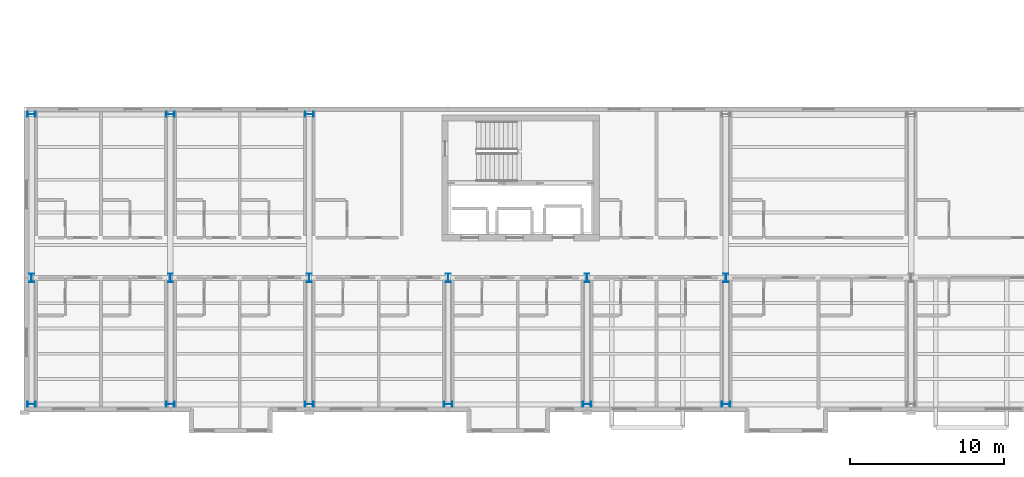
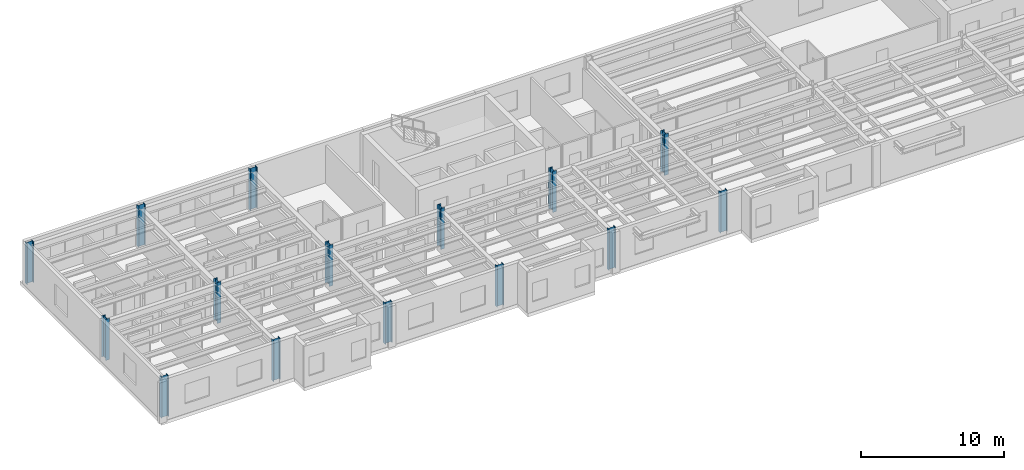
# One storey, part 1 of 17: 15 columns.
"""IFC4 building model written with IfcOpenShell, lengths in metres."""

import ifcopenshell
import ifcopenshell.guid

model = None  # the IFC model being written
_history = None  # IfcOwnerHistory: only IFC2X3 demands one
_inside = {}  # id of a spatial element -> (the spatial element, [elements in it])
_under = {}  # id of a project, library or spatial element -> (it, [spatial elements below it])
_declared = {}  # id of a project -> (the project, [libraries it declares])
_typed = {}  # id of a type object -> (the type object, [elements of that type])
_made_of = {}  # id of a material, layer set ... -> (it, [elements and type objects made of it])


def new_model(schema):
    """Start an empty IFC model of exactly this schema.

    Asked for "IFC4X3", IfcOpenShell would pick the latest addendum, in which some entities
    have other attributes; the version numbers below select the first issue.
    IFC2X3 requires an IfcOwnerHistory on every rooted entity: one is made here for all.
    """
    global model, _history
    if schema == "IFC4X3":
        model = ifcopenshell.file(schema_version=(4, 3, 0, 0))
    else:
        model = ifcopenshell.file(schema=schema)
    _inside.clear()
    _under.clear()
    _declared.clear()
    _typed.clear()
    _made_of.clear()
    _history = None
    if model.schema == "IFC2X3":
        org = make("IfcOrganization", Name="unknown")
        user = make(
            "IfcPersonAndOrganization",
            ThePerson=make("IfcPerson", FamilyName="unknown"),
            TheOrganization=org,
        )
        app = make(
            "IfcApplication",
            ApplicationDeveloper=org,
            Version="unknown",
            ApplicationFullName="unknown",
            ApplicationIdentifier="unknown",
        )
        _history = make(
            "IfcOwnerHistory",
            OwningUser=user,
            OwningApplication=app,
            ChangeAction="ADDED",
            CreationDate=0,
        )
    return model


def make(cls, **values):
    """One entity of the class cls with the attributes given. An attribute that is None is left unset."""
    return model.create_entity(
        cls, **{name: value for name, value in values.items() if value is not None}
    )


def rooted(cls, **values):
    """An entity with a GlobalId (a new one), such as an element, a storey or a relation."""
    return make(cls, GlobalId=ifcopenshell.guid.new(), OwnerHistory=_history, **values)


def si_unit(unit_type, name, prefix=None):
    """IfcSIUnit, for example si_unit("LENGTHUNIT", "METRE", prefix="MILLI")."""
    return make("IfcSIUnit", UnitType=unit_type, Prefix=prefix, Name=name)


def assignment(units):
    """IfcUnitAssignment: the units of a project."""
    return None if units is None else make("IfcUnitAssignment", Units=units)


def point(xyz):
    """IfcCartesianPoint."""
    return None if xyz is None else make("IfcCartesianPoint", Coordinates=xyz)


def direction(xyz):
    """IfcDirection."""
    return None if xyz is None else make("IfcDirection", DirectionRatios=xyz)


def frame(location, z_axis=None, x_axis=None):
    """IfcAxis2Placement3D, a coordinate frame: its origin and axes. An axis left out is left unset."""
    return make(
        "IfcAxis2Placement3D",
        Location=point(location),
        Axis=direction(z_axis),
        RefDirection=direction(x_axis),
    )


def frame_2d(location, x_axis=None):
    """IfcAxis2Placement2D, a coordinate frame in the plane: its origin and x axis."""
    return make(
        "IfcAxis2Placement2D", Location=point(location), RefDirection=direction(x_axis)
    )


def origin():
    """The frame at (0, 0, 0) with its axes left unset."""
    return frame((0.0, 0.0, 0.0))


def origin_2d():
    """The frame at (0, 0) in the plane with its x axis left unset."""
    return frame_2d((0.0, 0.0))


def place(relative_to, where):
    """IfcLocalPlacement: puts the frame where relative to a parent placement (None: the world)."""
    return make(
        "IfcLocalPlacement", PlacementRelTo=relative_to, RelativePlacement=where
    )


def context(
    kind, dimensions, precision=None, world=None, true_north=None, identifier=None
):
    """IfcGeometricRepresentationContext, for example the 3D "Model" context."""
    return make(
        "IfcGeometricRepresentationContext",
        ContextIdentifier=identifier,
        ContextType=kind,
        CoordinateSpaceDimension=dimensions,
        Precision=precision,
        WorldCoordinateSystem=world,
        TrueNorth=true_north,
    )


def subcontext(parent, identifier, kind, view, scale=None):
    """IfcGeometricRepresentationSubContext, for example "Body" below "Model"."""
    return make(
        "IfcGeometricRepresentationSubContext",
        ContextIdentifier=identifier,
        ContextType=kind,
        ParentContext=parent,
        TargetScale=scale,
        TargetView=view,
    )


def project(units=None, contexts=None):
    """IfcProject with its units and contexts."""
    return rooted(
        "IfcProject",
        Name="project",
        RepresentationContexts=contexts,
        UnitsInContext=assignment(units),
    )


def spatial(cls, under=None, at=None, **own):
    """A site, building, storey or space (cls), placed at a placement, below another one or the project."""
    s = rooted(cls, ObjectPlacement=at, **own)
    if under is not None:
        _under.setdefault(under.id(), (under, []))[1].append(s)
    return s


def profile(cls, at=None, kind="AREA", **sizes):
    """A parametric profile (cls). Its sizes go by their IFC names, for example OverallWidth=200.0."""
    return make(cls, ProfileType=kind, Position=at, **sizes)


def i_section(**sizes):
    """IfcIShapeProfileDef."""
    return profile("IfcIShapeProfileDef", **sizes)


def extrude(swept, where, along, depth):
    """IfcExtrudedAreaSolid: the profile swept, set in the frame where, extruded along a direction by depth."""
    return make(
        "IfcExtrudedAreaSolid",
        SweptArea=swept,
        Position=where,
        ExtrudedDirection=direction(along),
        Depth=depth,
    )


def shape(context_of_items, identifier, shape_type, items):
    """IfcShapeRepresentation: the items that make up one representation, for example the "Body"."""
    return make(
        "IfcShapeRepresentation",
        ContextOfItems=context_of_items,
        RepresentationIdentifier=identifier,
        RepresentationType=shape_type,
        Items=items,
    )


def material(Name=None, Category=None):
    """IfcMaterial."""
    return make("IfcMaterial", Name=Name, Category=Category)


def material_profile(
    of_material, cross_section, Name=None, Category=None, Priority=None
):
    """IfcMaterialProfile: a cross section and its material."""
    return make(
        "IfcMaterialProfile",
        Name=Name,
        Material=of_material,
        Profile=cross_section,
        Priority=Priority,
        Category=Category,
    )


def profile_set(profiles, Name=None, composite=None):
    """IfcMaterialProfileSet."""
    return make(
        "IfcMaterialProfileSet",
        Name=Name,
        MaterialProfiles=profiles,
        CompositeProfile=composite,
    )


def made_of(thing, what):
    """Note that an element or type object is made of a material, layer set ...; save() writes the relation."""
    if what is not None:
        _made_of.setdefault(what.id(), (what, []))[1].append(thing)
    return thing


def type_object(cls, material=None, **own):
    """A type object (cls), such as IfcWallType, which elements share."""
    return made_of(rooted(cls, **own), material)


def element(
    cls,
    number,
    at=None,
    inside=None,
    cuts=None,
    type_object=None,
    material=None,
    context=None,
    identifier="Body",
    shape_type=None,
    held_by="IfcProductDefinitionShape",
    body=None,
    shapes=None,
    **own,
):
    """One element of the class cls, such as IfcWall. Its Tag is "e" and its number.

    at: its placement. inside: the storey or other place that contains it. cuts: it is an
    opening in that element (IfcRelVoidsElement). A single representation is given by context,
    identifier, shape_type and body (its items); several are given by shapes. held_by: the class
    of the entity that holds the representations. save() writes the other relations.
    """
    e = rooted(cls, Tag="e%d" % number, ObjectPlacement=at, **own)
    if body is not None:
        shapes = [shape(context, identifier, shape_type, body)]
    if shapes is not None:
        e.Representation = make(held_by, Representations=shapes)
    if inside is not None:
        _inside.setdefault(inside.id(), (inside, []))[1].append(e)
    if cuts is not None:
        rooted(
            "IfcRelVoidsElement", RelatingBuildingElement=cuts, RelatedOpeningElement=e
        )
    if type_object is not None:
        _typed.setdefault(type_object.id(), (type_object, []))[1].append(e)
    return made_of(e, material)


def aggregate(whole, parts):
    """IfcRelAggregates: a whole, such as a stair, and the parts it consists of."""
    return rooted("IfcRelAggregates", RelatingObject=whole, RelatedObjects=parts)


def save(model, path):
    """Write the relations noted so far, then the file.

    IfcRelAggregates (storeys below a building ...), IfcRelContainedInSpatialStructure (elements
    in a storey), IfcRelDefinesByType, IfcRelAssociatesMaterial and IfcRelDeclares: one each for
    every whole, place, type object, material and project.
    """
    for whole, parts in _under.values():
        aggregate(whole, parts)
    for where, things in _inside.values():
        rooted(
            "IfcRelContainedInSpatialStructure",
            RelatedElements=things,
            RelatingStructure=where,
        )
    for kind, things in _typed.values():
        rooted("IfcRelDefinesByType", RelatedObjects=things, RelatingType=kind)
    for what, things in _made_of.values():
        rooted("IfcRelAssociatesMaterial", RelatedObjects=things, RelatingMaterial=what)
    for by, libraries in _declared.values():
        rooted("IfcRelDeclares", RelatingContext=by, RelatedDefinitions=libraries)
    model.write(path)


model = new_model("IFC4")

# Units and contexts
model_context = context("Model", 3, precision=1e-05, world=origin(), true_north=direction((0.0, 1.0)))
body_context = subcontext(model_context, "Body", "Model", "MODEL_VIEW")
ifc_project = project(units=[si_unit("LENGTHUNIT", "METRE"), si_unit("AREAUNIT", "SQUARE_METRE"), si_unit("VOLUMEUNIT", "CUBIC_METRE"), si_unit("PLANEANGLEUNIT", "RADIAN"), si_unit("MASSUNIT", "GRAM", prefix="KILO")], contexts=[model_context])

# Site, building, storey
site_placement = place(None, origin())
site = spatial("IfcSite", under=ifc_project, at=site_placement, CompositionType="ELEMENT")
building_placement = place(site_placement, origin())
building = spatial("IfcBuilding", under=site, at=building_placement, Name="Sollismere Congress Hotel", CompositionType="ELEMENT")
storey_placement = place(building_placement, frame((0.0, 0.0, 37.60009765625)))
storey = spatial("IfcBuildingStorey", under=building, at=storey_placement, Name="L09", CompositionType="ELEMENT", Elevation=37.60009765625)

# Columns
ifc_material = material(Name="Steel ASTM A992 Grade 50", Category="steel")
ifc_material_profile = material_profile(ifc_material, i_section(OverallWidth=0.31494140625, OverallDepth=0.551025390625, WebThickness=0.01513671875, FlangeThickness=0.0244140625, at=origin_2d()), Name="W21X122")
ifc_profile_set = profile_set([ifc_material_profile], Name="Steel ASTM A992 Grade 50")
column_type = type_object("IfcColumnType", Name="COL-W21", PredefinedType="COLUMN", material=ifc_profile_set)
for number, where, z_axis, x_axis, name in (
    (1, (67.0, 0.0, 0.0), (0.0, 0.0, 1.0), (0.0, 1.0, 0.0), "Column CL-L09-286"),
    (2, (67.0, 8.199951171875, 0.0), (0.0, 0.0, 1.0), (1.0, 0.0, 0.0), "Column CL-L09-297"),
    (3, (67.0, 18.800048828125, 0.0), (0.0, 0.0, 1.0), (0.0, 1.0, 0.0), "Column CL-L09-308"),
    (4, (76.0, 0.0, 0.0), (0.0, 0.0, 1.0), (0.0, 1.0, 0.0), "Column CL-L09-350"),
    (5, (76.0, 8.199951171875, 0.0), (0.0, 0.0, 1.0), (1.0, 0.0, 0.0), "Column CL-L09-361"),
    (6, (76.0, 18.800048828125, 0.0), (0.0, 0.0, 1.0), (0.0, 1.0, 0.0), "Column CL-L09-372"),
    (7, (85.0, 0.0, 0.0), (0.0, 0.0, 1.0), (0.0, 1.0, 0.0), "Column CL-L09-403"),
    (8, (85.0, 8.199951171875, 0.0), (0.0, 0.0, 1.0), (1.0, 0.0, 0.0), "Column CL-L09-416"),
    (9, (85.0, 18.800048828125, 0.0), (0.0, 0.0, 1.0), (0.0, 1.0, 0.0), "Column CL-L09-429"),
    (10, (94.0, 0.0, 0.0), (0.0, 0.0, 1.0), (0.0, 1.0, 0.0), "Column CL-L09-462"),
    (11, (94.0, 8.199951171875, 0.0), (0.0, 0.0, 1.0), (1.0, 0.0, 0.0), "Column CL-L09-475"),
    (12, (103.0, 0.0, 0.0), (0.0, 0.0, 1.0), (0.0, 1.0, 0.0), "Column CL-L09-520"),
    (13, (103.0, 8.199951171875, 0.0), (0.0, 0.0, 1.0), (1.0, 0.0, 0.0), "Column CL-L09-533"),
    (14, (112.0, 0.0, 0.0), (0.0, 0.0, 1.0), (0.0, 1.0, 0.0), "Column CL-L09-578"),
    (15, (112.0, 8.199951171875, 0.0), (0.0, 0.0, 1.0), (1.0, 0.0, 0.0), "Column CL-L09-591"),
):
    element("IfcColumn", number, at=place(storey_placement, frame(where, z_axis=z_axis, x_axis=x_axis)), inside=storey, type_object=column_type, Name=name, PredefinedType="COLUMN", context=body_context, shape_type="SweptSolid", body=[
        extrude(i_section(OverallWidth=0.31494140625, OverallDepth=0.551025390625, WebThickness=0.01513671875, FlangeThickness=0.0244140625, at=origin_2d()), origin(), (0.0, 0.0, 1.0), 3.5),
    ])

save(model, "model.ifc")
